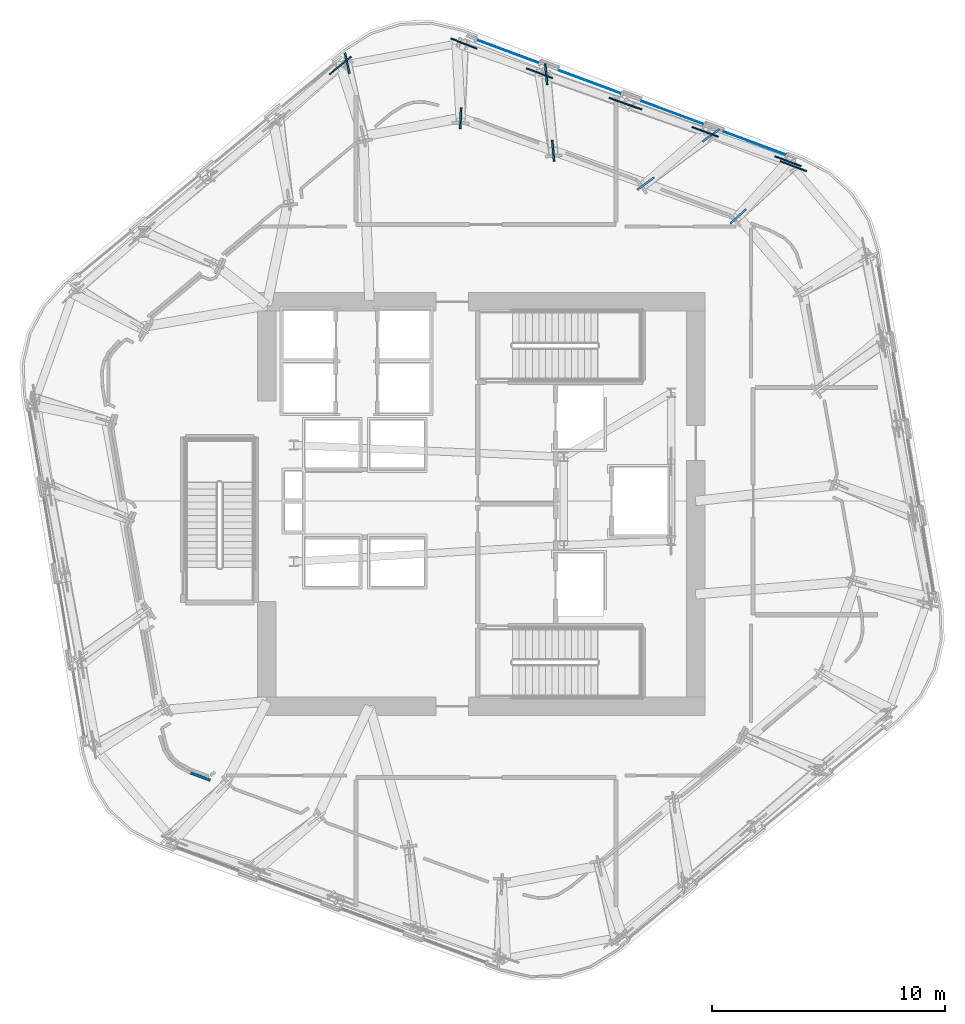
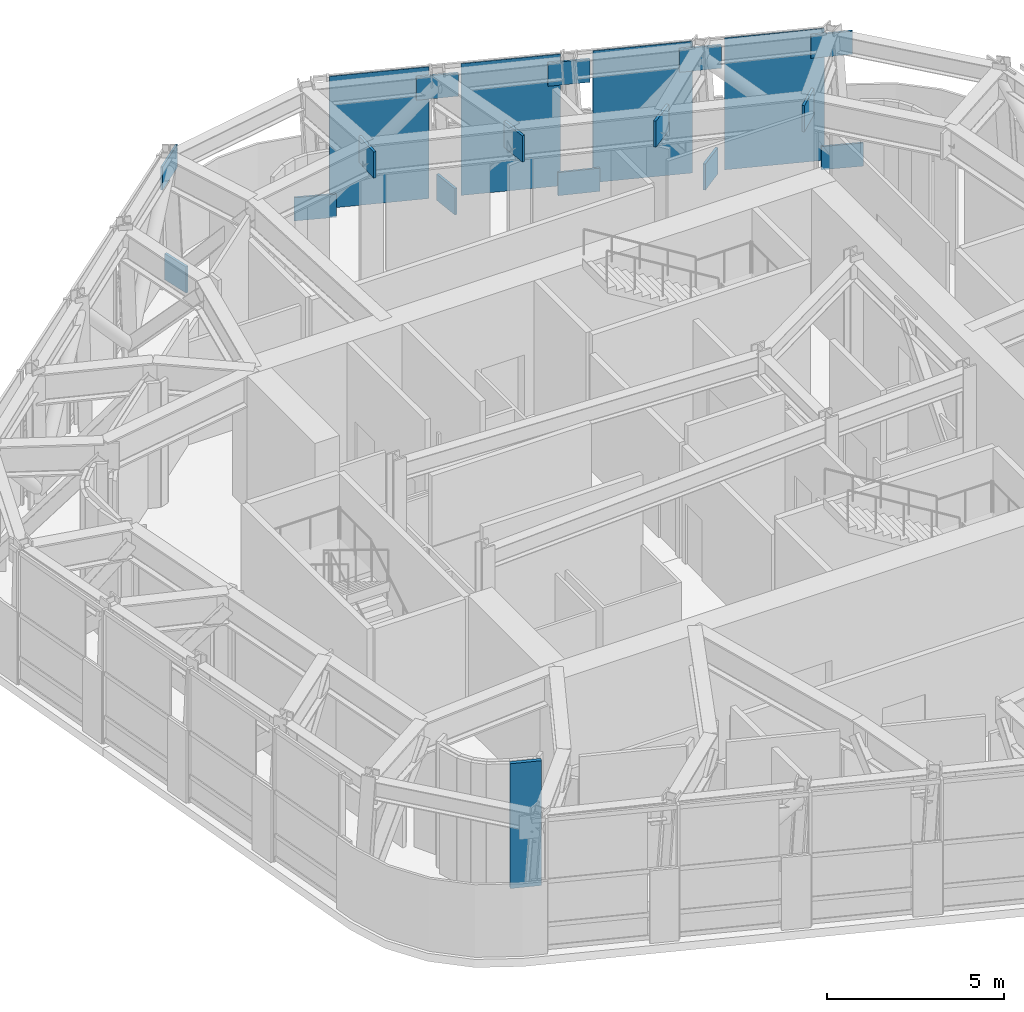
# One storey, part 8 of 16: 19 plates, 1 wall, 1 element without a shape of its own.
"""IFC4 building model written with IfcOpenShell, lengths in metres."""

from ifc_helpers import new_model, si_unit, direction, frame, frame_2d, origin, origin_2d, place, context, subcontext, project, spatial, rectangle, extrude, material, layer, layer_set, type_object, element, aggregate, save


model = new_model("IFC4")

# Units and contexts
model_context = context("Model", 3, precision=1e-05, world=origin(), true_north=direction((0.0, 1.0)))
body_context = subcontext(model_context, "Body", "Model", "MODEL_VIEW")
ifc_project = project(units=[si_unit("LENGTHUNIT", "METRE"), si_unit("AREAUNIT", "SQUARE_METRE"), si_unit("VOLUMEUNIT", "CUBIC_METRE"), si_unit("PLANEANGLEUNIT", "RADIAN"), si_unit("MASSUNIT", "GRAM", prefix="KILO")], contexts=[model_context])

# Site, building, storey
site_placement = place(None, origin())
site = spatial("IfcSite", under=ifc_project, at=site_placement, CompositionType="ELEMENT")
building_placement = place(site_placement, origin())
building = spatial("IfcBuilding", under=site, at=building_placement, Name="Valkerne Bourse Tower", CompositionType="ELEMENT")
storey_placement = place(building_placement, frame((0.0, 0.0, 193.199951171875)))
storey = spatial("IfcBuildingStorey", under=building, at=storey_placement, Name="L49", CompositionType="ELEMENT", Elevation=193.199951171875)

# Curtain wall, plates
ifc_material_1 = material(Name="Aluminium AA 6063-T6", Category="aluminium")
ifc_layer_1 = layer(ifc_material_1, 0.25)
ifc_layer_set_1 = layer_set([ifc_layer_1], Name="Aluminium AA 6063-T6")
curtain_wall_type = type_object("IfcCurtainWallType", Name="CW-06", PredefinedType="NOTDEFINED", material=ifc_layer_set_1)
curtain_wall_placement = place(storey_placement, origin())
curtain_wall = element("IfcCurtainWall", 1, at=curtain_wall_placement, inside=storey, type_object=curtain_wall_type, Name="L49 Hexagonal Stick Curtain Wall Face 1", PredefinedType="NOTDEFINED")
ifc_material_2 = material(Name="Bronze Anodised Aluminium AA 6063-T6", Category="aluminium")
ifc_layer_2 = layer(ifc_material_2, 0.0400390625)
ifc_layer_set_2 = layer_set([ifc_layer_2], Name="Bronze Anodised Aluminium AA 6063-T6")
plate_type_1 = type_object("IfcPlateType", Name="CW-PNL-LOUVRE-40", PredefinedType="CURTAIN_PANEL", material=ifc_layer_set_2)
plate_1_placement = place(storey_placement, frame((58.54443359375, 42.352294921875, 0.030029296875), z_axis=(0.0, 0.0, 1.0), x_axis=(-0.937279283548, 0.348579323298, 0.0)))
plate_1 = element("IfcPlate", 2, at=plate_1_placement, type_object=plate_type_1, Name="CW-L49-F1 Curtain Panel 00", PredefinedType="CURTAIN_PANEL", context=body_context, shape_type="SweptSolid", body=[
    extrude(rectangle(XDim=2.85107421875, YDim=0.0400390625, at=origin_2d()), origin(), (0.0, 0.0, 1.0), 4.5400390625),
])
plate_2_placement = place(storey_placement, frame((55.010009765625, 43.666748046875, 0.030029296875), z_axis=(0.0, 0.0, 1.0), x_axis=(-0.9372879472, 0.348556027107, 0.0)))
plate_2 = element("IfcPlate", 3, at=plate_2_placement, type_object=plate_type_1, Name="CW-L49-F1 Curtain Panel 01", PredefinedType="CURTAIN_PANEL", context=body_context, shape_type="SweptSolid", body=[
    extrude(rectangle(XDim=2.850830078125, YDim=0.0400390625, at=origin_2d()), origin(), (0.0, 0.0, 1.0), 4.5400390625),
])
plate_3_placement = place(storey_placement, frame((51.4755859375, 44.981201171875, 0.030029296875), z_axis=(0.0, 0.0, 1.0), x_axis=(-0.937279283548, 0.348579323298, 0.0)))
plate_3 = element("IfcPlate", 4, at=plate_3_placement, type_object=plate_type_1, Name="CW-L49-F1 Curtain Panel 02", PredefinedType="CURTAIN_PANEL", context=body_context, shape_type="SweptSolid", body=[
    extrude(rectangle(XDim=2.85107421875, YDim=0.0400390625, at=origin_2d()), origin(), (0.0, 0.0, 1.0), 4.5400390625),
])
plate_4_placement = place(storey_placement, frame((47.94091796875, 46.295654296875, 0.030029296875), z_axis=(0.0, 0.0, 1.0), x_axis=(-0.937279283548, 0.348579323298, 0.0)))
plate_4 = element("IfcPlate", 5, at=plate_4_placement, type_object=plate_type_1, Name="CW-L49-F1 Curtain Panel 03", PredefinedType="CURTAIN_PANEL", context=body_context, shape_type="SweptSolid", body=[
    extrude(rectangle(XDim=2.85107421875, YDim=0.0400390625, at=origin_2d()), origin(), (0.0, 0.0, 1.0), 4.5400390625),
])
aggregate(curtain_wall, [plate_1, plate_2, plate_3, plate_4])

# Plates
ifc_material_3 = material(Name="Steel ASTM A572 Grade 50", Category="steel")
ifc_layer_3 = layer(ifc_material_3, 0.06005859375)
ifc_layer_set_3 = layer_set([ifc_layer_3], Name="Steel ASTM A572 Grade 50")
plate_type_2 = type_object("IfcPlateType", Name="PLT-GUS-60", PredefinedType="SHEET", material=ifc_layer_set_3)
for number, where, z_axis, x_axis, name in (
    (6, (59.9658203125, 41.5849609375, 3.75), (0.0, 0.0, 1.0), (-0.937281989492, 0.348572047322, 0.0), "L49 Belt Truss Gusset Plate GP-065"),
    (7, (56.410888671875, 42.84375, 3.75), (0.0, 0.0, 1.0), (-0.937281989492, 0.348572047322, 0.0), "L49 Belt Truss Gusset Plate GP-066"),
    (8, (52.856201171875, 44.1025390625, 3.75), (0.0, 0.0, 1.0), (-0.937281989492, 0.348572047322, 0.0), "L49 Belt Truss Gusset Plate GP-067"),
    (9, (49.301513671875, 45.361328125, 3.75), (0.0, 0.0, 1.0), (-0.937281989492, 0.348572047322, 0.0), "L49 Belt Truss Gusset Plate GP-068"),
    (10, (40.751953125, 45.6943359375, 3.75), (0.0, 0.0, 1.0), (-0.770513242776, -0.637423989749, 0.0), "L49 Belt Truss Gusset Plate GP-069"),
    (11, (60.193115234375, 41.37646484375, -0.0498046875), (0.0, 0.0, 1.0), (-0.932260671622, 0.361787285774, 0.0), "L49 Brace Node Gusset Plate PLT-GUS-END-L49-230"),
    (12, (53.124267578125, 44.00537109375, -0.0498046875), (0.0, 0.0, 1.0), (0.942874302508, -0.333148690033, 0.0), "L49 Brace Node Gusset Plate PLT-GUS-END-L49-231"),
    (13, (46.05517578125, 46.63427734375, -0.0498046875), (0.0, 0.0, 1.0), (0.93099211867, -0.365039278674, 0.0), "L49 Brace Node Gusset Plate PLT-GUS-END-L49-232"),
):
    element("IfcPlate", number, at=place(storey_placement, frame(where, z_axis=z_axis, x_axis=x_axis)), inside=storey, type_object=plate_type_2, Name=name, PredefinedType="SHEET", context=body_context, shape_type="SweptSolid", body=[
        extrude(rectangle(XDim=1.199951171875, YDim=0.06005859375, at=origin_2d()), origin(), (0.0, 0.0, 1.0), 0.800048828125),
    ])
ifc_layer_4 = layer(ifc_material_3, 0.080078125)
ifc_layer_set_4 = layer_set([ifc_layer_4], Name="Steel ASTM A572 Grade 50")
plate_type_3 = type_object("IfcPlateType", Name="PLT-GUS-80", PredefinedType="SHEET", material=ifc_layer_set_4)
for number, where, z_axis, x_axis, name in (
    (14, (57.8291015625, 39.218017578125, 3.61669921875), (0.0, 0.0, 1.0), (-0.738455340626, -0.674302387584, 0.0), "L49 Brace Node Gusset Plate PLT-GUS-END-L49-248"),
    (15, (56.65869140625, 42.69091796875, -0.099853515625), (0.0, 0.0, 1.0), (-0.804582973635, -0.593840246647, 0.0), "L49 Brace Node Gusset Plate PLT-GUS-END-L49-249"),
    (16, (53.858642578125, 40.6240234375, 3.61669921875), (0.0, 0.0, 1.0), (-0.804582973635, -0.593840246647, 0.0), "L49 Brace Node Gusset Plate PLT-GUS-END-L49-250"),
    (17, (49.589599609375, 45.31982421875, -0.099853515625), (0.0, 0.0, 1.0), (0.090284945449, -0.995915974681, 0.0), "L49 Brace Node Gusset Plate PLT-GUS-END-L49-251"),
    (18, (49.88818359375, 42.030029296875, 3.61669921875), (0.0, 0.0, 1.0), (0.090284945449, -0.995915974681, 0.0), "L49 Brace Node Gusset Plate PLT-GUS-END-L49-252"),
    (19, (45.917724609375, 43.43603515625, 3.61669921875), (0.0, 0.0, 1.0), (-0.042921909558, -0.999078430194, 0.0), "L49 Brace Node Gusset Plate PLT-GUS-END-L49-253"),
    (20, (41.04638671875, 45.787109375, -0.099853515625), (0.0, 0.0, 1.0), (0.214564862428, -0.976709741843, 0.0), "L49 Brace Node Gusset Plate PLT-GUS-END-L49-254"),
):
    element("IfcPlate", number, at=place(storey_placement, frame(where, z_axis=z_axis, x_axis=x_axis)), inside=storey, type_object=plate_type_3, Name=name, PredefinedType="SHEET", context=body_context, shape_type="SweptSolid", body=[
        extrude(rectangle(XDim=0.89990234375, YDim=0.080078125, at=origin_2d()), origin(), (0.0, 0.0, 1.0), 0.89990234375),
    ])

# Wall
ifc_material_4 = material(Name="Gypsum Board Steel-Stud Partition", Category="steel")
ifc_layer_5 = layer(ifc_material_4, 0.117919921875)
ifc_layer_set_5 = layer_set([ifc_layer_5], Name="Gypsum Board Steel-Stud Partition")
wall_type = type_object("IfcWallType", Name="W-CORR-140", PredefinedType="PARTITIONING", material=ifc_layer_set_5)
wall_placement = place(storey_placement, frame((35.172119140625, 15.020751953125, 0.0), z_axis=(0.0, 0.0, 1.0), x_axis=(-0.939039669619, 0.343808811525, 0.0)))
element("IfcWall", 21, at=wall_placement, inside=storey, type_object=wall_type, Name="L49 L49 Outrigger Truss Gallery Ring Wall", PredefinedType="PARTITIONING", context=body_context, shape_type="SweptSolid", body=[
    extrude(rectangle(XDim=0.901123046875, YDim=0.117919921875, at=frame_2d((0.45068359375, 0.0))), origin(), (0.0, 0.0, 1.0), 4.300048828125),
])

save(model, "model.ifc")
